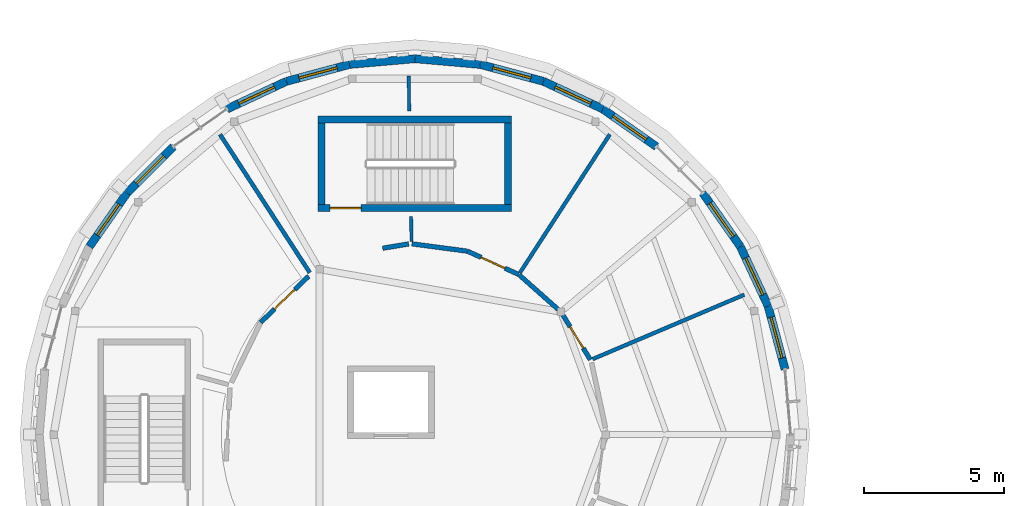
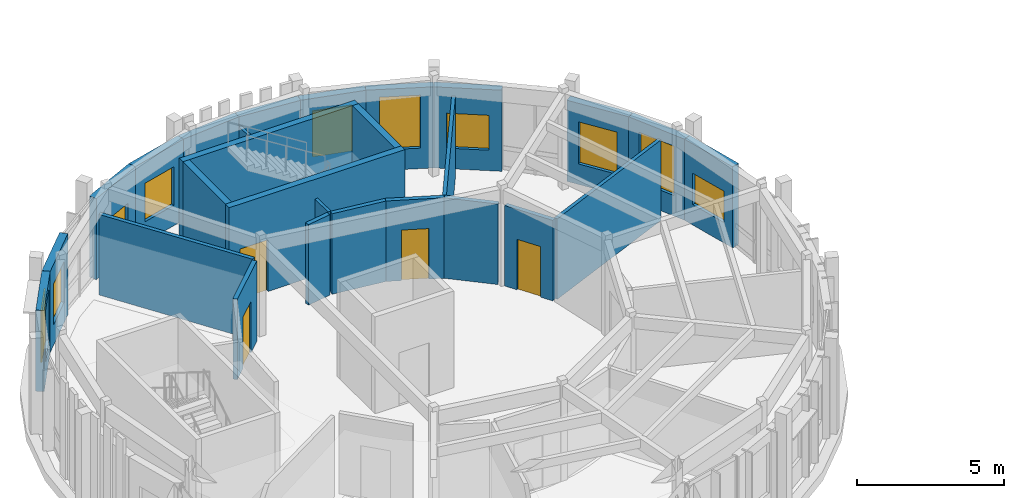
# One storey, part 20 of 30: 27 walls, 10 windows, 4 doors, 14 openings.
"""IFC4 building model written with IfcOpenShell, lengths in metres."""

import ifcopenshell
import ifcopenshell.guid

model = None  # the IFC model being written
_history = None  # IfcOwnerHistory: only IFC2X3 demands one
_inside = {}  # id of a spatial element -> (the spatial element, [elements in it])
_under = {}  # id of a project, library or spatial element -> (it, [spatial elements below it])
_declared = {}  # id of a project -> (the project, [libraries it declares])
_typed = {}  # id of a type object -> (the type object, [elements of that type])
_made_of = {}  # id of a material, layer set ... -> (it, [elements and type objects made of it])


def new_model(schema):
    """Start an empty IFC model of exactly this schema.

    Asked for "IFC4X3", IfcOpenShell would pick the latest addendum, in which some entities
    have other attributes; the version numbers below select the first issue.
    IFC2X3 requires an IfcOwnerHistory on every rooted entity: one is made here for all.
    """
    global model, _history
    if schema == "IFC4X3":
        model = ifcopenshell.file(schema_version=(4, 3, 0, 0))
    else:
        model = ifcopenshell.file(schema=schema)
    _inside.clear()
    _under.clear()
    _declared.clear()
    _typed.clear()
    _made_of.clear()
    _history = None
    if model.schema == "IFC2X3":
        org = make("IfcOrganization", Name="unknown")
        user = make(
            "IfcPersonAndOrganization",
            ThePerson=make("IfcPerson", FamilyName="unknown"),
            TheOrganization=org,
        )
        app = make(
            "IfcApplication",
            ApplicationDeveloper=org,
            Version="unknown",
            ApplicationFullName="unknown",
            ApplicationIdentifier="unknown",
        )
        _history = make(
            "IfcOwnerHistory",
            OwningUser=user,
            OwningApplication=app,
            ChangeAction="ADDED",
            CreationDate=0,
        )
    return model


def make(cls, **values):
    """One entity of the class cls with the attributes given. An attribute that is None is left unset."""
    return model.create_entity(
        cls, **{name: value for name, value in values.items() if value is not None}
    )


def rooted(cls, **values):
    """An entity with a GlobalId (a new one), such as an element, a storey or a relation."""
    return make(cls, GlobalId=ifcopenshell.guid.new(), OwnerHistory=_history, **values)


def si_unit(unit_type, name, prefix=None):
    """IfcSIUnit, for example si_unit("LENGTHUNIT", "METRE", prefix="MILLI")."""
    return make("IfcSIUnit", UnitType=unit_type, Prefix=prefix, Name=name)


def assignment(units):
    """IfcUnitAssignment: the units of a project."""
    return None if units is None else make("IfcUnitAssignment", Units=units)


def point(xyz):
    """IfcCartesianPoint."""
    return None if xyz is None else make("IfcCartesianPoint", Coordinates=xyz)


def direction(xyz):
    """IfcDirection."""
    return None if xyz is None else make("IfcDirection", DirectionRatios=xyz)


def frame(location, z_axis=None, x_axis=None):
    """IfcAxis2Placement3D, a coordinate frame: its origin and axes. An axis left out is left unset."""
    return make(
        "IfcAxis2Placement3D",
        Location=point(location),
        Axis=direction(z_axis),
        RefDirection=direction(x_axis),
    )


def frame_2d(location, x_axis=None):
    """IfcAxis2Placement2D, a coordinate frame in the plane: its origin and x axis."""
    return make(
        "IfcAxis2Placement2D", Location=point(location), RefDirection=direction(x_axis)
    )


def origin():
    """The frame at (0, 0, 0) with its axes left unset."""
    return frame((0.0, 0.0, 0.0))


def place(relative_to, where):
    """IfcLocalPlacement: puts the frame where relative to a parent placement (None: the world)."""
    return make(
        "IfcLocalPlacement", PlacementRelTo=relative_to, RelativePlacement=where
    )


def context(
    kind, dimensions, precision=None, world=None, true_north=None, identifier=None
):
    """IfcGeometricRepresentationContext, for example the 3D "Model" context."""
    return make(
        "IfcGeometricRepresentationContext",
        ContextIdentifier=identifier,
        ContextType=kind,
        CoordinateSpaceDimension=dimensions,
        Precision=precision,
        WorldCoordinateSystem=world,
        TrueNorth=true_north,
    )


def subcontext(parent, identifier, kind, view, scale=None):
    """IfcGeometricRepresentationSubContext, for example "Body" below "Model"."""
    return make(
        "IfcGeometricRepresentationSubContext",
        ContextIdentifier=identifier,
        ContextType=kind,
        ParentContext=parent,
        TargetScale=scale,
        TargetView=view,
    )


def project(units=None, contexts=None):
    """IfcProject with its units and contexts."""
    return rooted(
        "IfcProject",
        Name="project",
        RepresentationContexts=contexts,
        UnitsInContext=assignment(units),
    )


def spatial(cls, under=None, at=None, **own):
    """A site, building, storey or space (cls), placed at a placement, below another one or the project."""
    s = rooted(cls, ObjectPlacement=at, **own)
    if under is not None:
        _under.setdefault(under.id(), (under, []))[1].append(s)
    return s


def profile(cls, at=None, kind="AREA", **sizes):
    """A parametric profile (cls). Its sizes go by their IFC names, for example OverallWidth=200.0."""
    return make(cls, ProfileType=kind, Position=at, **sizes)


def rectangle(**sizes):
    """IfcRectangleProfileDef."""
    return profile("IfcRectangleProfileDef", **sizes)


def extrude(swept, where, along, depth):
    """IfcExtrudedAreaSolid: the profile swept, set in the frame where, extruded along a direction by depth."""
    return make(
        "IfcExtrudedAreaSolid",
        SweptArea=swept,
        Position=where,
        ExtrudedDirection=direction(along),
        Depth=depth,
    )


def shape(context_of_items, identifier, shape_type, items):
    """IfcShapeRepresentation: the items that make up one representation, for example the "Body"."""
    return make(
        "IfcShapeRepresentation",
        ContextOfItems=context_of_items,
        RepresentationIdentifier=identifier,
        RepresentationType=shape_type,
        Items=items,
    )


def material(Name=None, Category=None):
    """IfcMaterial."""
    return make("IfcMaterial", Name=Name, Category=Category)


def layer(
    of_material, thickness, ventilated=None, Name=None, Category=None, Priority=None
):
    """IfcMaterialLayer: one layer of a wall or slab, of a material (None: an air gap)."""
    return make(
        "IfcMaterialLayer",
        Material=of_material,
        LayerThickness=thickness,
        IsVentilated=ventilated,
        Name=Name,
        Category=Category,
        Priority=Priority,
    )


def layer_set(layers, Name=None):
    """IfcMaterialLayerSet."""
    return make("IfcMaterialLayerSet", MaterialLayers=layers, LayerSetName=Name)


def made_of(thing, what):
    """Note that an element or type object is made of a material, layer set ...; save() writes the relation."""
    if what is not None:
        _made_of.setdefault(what.id(), (what, []))[1].append(thing)
    return thing


def type_object(cls, material=None, **own):
    """A type object (cls), such as IfcWallType, which elements share."""
    return made_of(rooted(cls, **own), material)


def element(
    cls,
    number,
    at=None,
    inside=None,
    cuts=None,
    type_object=None,
    material=None,
    context=None,
    identifier="Body",
    shape_type=None,
    held_by="IfcProductDefinitionShape",
    body=None,
    shapes=None,
    **own,
):
    """One element of the class cls, such as IfcWall. Its Tag is "e" and its number.

    at: its placement. inside: the storey or other place that contains it. cuts: it is an
    opening in that element (IfcRelVoidsElement). A single representation is given by context,
    identifier, shape_type and body (its items); several are given by shapes. held_by: the class
    of the entity that holds the representations. save() writes the other relations.
    """
    e = rooted(cls, Tag="e%d" % number, ObjectPlacement=at, **own)
    if body is not None:
        shapes = [shape(context, identifier, shape_type, body)]
    if shapes is not None:
        e.Representation = make(held_by, Representations=shapes)
    if inside is not None:
        _inside.setdefault(inside.id(), (inside, []))[1].append(e)
    if cuts is not None:
        rooted(
            "IfcRelVoidsElement", RelatingBuildingElement=cuts, RelatedOpeningElement=e
        )
    if type_object is not None:
        _typed.setdefault(type_object.id(), (type_object, []))[1].append(e)
    return made_of(e, material)


def fill(opening, filler):
    """IfcRelFillsElement: the door or window that sits in an opening."""
    return rooted(
        "IfcRelFillsElement",
        RelatingOpeningElement=opening,
        RelatedBuildingElement=filler,
    )


def aggregate(whole, parts):
    """IfcRelAggregates: a whole, such as a stair, and the parts it consists of."""
    return rooted("IfcRelAggregates", RelatingObject=whole, RelatedObjects=parts)


def save(model, path):
    """Write the relations noted so far, then the file.

    IfcRelAggregates (storeys below a building ...), IfcRelContainedInSpatialStructure (elements
    in a storey), IfcRelDefinesByType, IfcRelAssociatesMaterial and IfcRelDeclares: one each for
    every whole, place, type object, material and project.
    """
    for whole, parts in _under.values():
        aggregate(whole, parts)
    for where, things in _inside.values():
        rooted(
            "IfcRelContainedInSpatialStructure",
            RelatedElements=things,
            RelatingStructure=where,
        )
    for kind, things in _typed.values():
        rooted("IfcRelDefinesByType", RelatedObjects=things, RelatingType=kind)
    for what, things in _made_of.values():
        rooted("IfcRelAssociatesMaterial", RelatedObjects=things, RelatingMaterial=what)
    for by, libraries in _declared.values():
        rooted("IfcRelDeclares", RelatingContext=by, RelatedDefinitions=libraries)
    model.write(path)


model = new_model("IFC4")

# Units and contexts
model_context = context("Model", 3, precision=1e-05, world=origin(), true_north=direction((0.0, 1.0)))
body_context = subcontext(model_context, "Body", "Model", "MODEL_VIEW")
ifc_project = project(units=[si_unit("LENGTHUNIT", "METRE"), si_unit("AREAUNIT", "SQUARE_METRE"), si_unit("VOLUMEUNIT", "CUBIC_METRE"), si_unit("PLANEANGLEUNIT", "RADIAN"), si_unit("MASSUNIT", "GRAM", prefix="KILO")], contexts=[model_context])

# Site, building, storey
site_placement = place(None, origin())
site = spatial("IfcSite", under=ifc_project, at=site_placement, CompositionType="ELEMENT")
building_placement = place(site_placement, origin())
building = spatial("IfcBuilding", under=site, at=building_placement, Name="Aldenvaro Health Centre", CompositionType="ELEMENT")
storey_placement = place(building_placement, frame((0.0, 0.0, 17.14990234375)))
storey = spatial("IfcBuildingStorey", under=building, at=storey_placement, Name="L04", CompositionType="ELEMENT", Elevation=17.14990234375)

# Wall
ifc_material_1 = material(Name="Gypsum Stud Acoustic Assembly")
ifc_layer_1 = layer(ifc_material_1, 0.14501953125, Name="Gypsum Stud Acoustic Assembly")
ifc_layer_set_1 = layer_set([ifc_layer_1], Name="Gypsum Stud Acoustic Assembly")
wall_type_1 = type_object("IfcWallType", Name="WL-CLN-145", PredefinedType="PARTITIONING", material=ifc_layer_set_1)
wall_1_placement = place(storey_placement, frame((14.7509765625, 105.27294921875, 0.0), z_axis=(0.0, 0.0, 1.0), x_axis=(-0.544677189284, 0.838645789039, 0.0)))
element("IfcWall", 1, at=wall_1_placement, inside=storey, type_object=wall_type_1, Name="D4 L04 clinical partition 1.1", PredefinedType="PARTITIONING", context=body_context, shape_type="SweptSolid", body=[
    extrude(rectangle(XDim=5.875, YDim=0.14501953125, at=frame_2d((2.9375, 0.0))), origin(), (0.0, 0.0, 1.0), 3.343994140625),
])

# Wall, opening, door
ifc_layer_2 = layer(ifc_material_1, 0.1650390625, Name="Gypsum Stud Acoustic Assembly")
ifc_layer_set_2 = layer_set([ifc_layer_2], Name="Gypsum Stud Acoustic Assembly")
wall_type_2 = type_object("IfcWallType", Name="WL-COR-165", PredefinedType="PARTITIONING", material=ifc_layer_set_2)
wall_2_placement = place(storey_placement, frame((14.7119140625, 105.14697265625, 0.0), z_axis=(0.0, 0.0, 1.0), x_axis=(-0.720225223762, -0.693740316731, 0.0)))
wall_2 = element("IfcWall", 2, at=wall_2_placement, inside=storey, type_object=wall_type_2, Name="D4 L04 corridor wall 01.1", PredefinedType="PARTITIONING", context=body_context, shape_type="SweptSolid", body=[
    extrude(rectangle(XDim=2.378173828125, YDim=0.1650390625, at=frame_2d((1.18896484375, 0.0))), origin(), (0.0, 0.0, 1.0), 3.343994140625),
])
opening_1_placement = place(wall_2_placement, frame((0.68994140625, 0.0, 0.0)))
opening_1 = element("IfcOpeningElement", 3, at=opening_1_placement, cuts=wall_2, Name="Opening D-03", PredefinedType="OPENING", context=body_context, shape_type="SweptSolid", body=[
    extrude(rectangle(XDim=1.0, YDim=2.139892578125, at=frame_2d((0.5, 1.06982421875))), frame((0.0, 0.092529296875, 0.0), z_axis=(0.0, -1.0, 0.0), x_axis=(1.0, 0.0, 0.0)), (0.0, 0.0, 1.0), 0.18505859375),
])
ifc_material_2 = material(Name="Solid Core Acoustic Timber Door", Category="wood")
door_type_1 = type_object("IfcDoorType", Name="DR-CLN-03", OperationType="NOTDEFINED", PredefinedType="DOOR", material=ifc_material_2)
door_1_placement = place(opening_1_placement, origin())
door_1 = element("IfcDoor", 4, at=door_1_placement, inside=storey, type_object=door_type_1, Name="Geriatrics Consulting Room 501 Door", OperationType="SINGLE_SWING_LEFT", OverallHeight=2.139892578125, OverallWidth=1.0, PredefinedType="DOOR", context=body_context, shape_type="SweptSolid", body=[
    extrude(rectangle(XDim=1.0, YDim=2.139892578125, at=frame_2d((0.5, 1.06982421875))), frame((0.0, 0.02490234375, 0.0), z_axis=(0.0, -1.0, 0.0), x_axis=(1.0, 0.0, 0.0)), (0.0, 0.0, 1.0), 0.050048828125),
])
fill(opening_1, door_1)

wall_3_placement = place(storey_placement, frame((24.756103515625, 102.166015625, 0.0), z_axis=(0.0, 0.0, 1.0), x_axis=(-0.523293079125, 0.852152775821, 0.0)))
wall_3 = element("IfcWall", 5, at=wall_3_placement, inside=storey, type_object=wall_type_2, Name="D4 L04 corridor wall 07.1", PredefinedType="PARTITIONING", context=body_context, shape_type="SweptSolid", body=[
    extrude(rectangle(XDim=1.86328125, YDim=0.1650390625, at=frame_2d((0.931640625, 0.0))), origin(), (0.0, 0.0, 1.0), 3.343994140625),
])
opening_2_placement = place(wall_3_placement, frame((0.48193359375, 0.0, 0.0)))
opening_2 = element("IfcOpeningElement", 6, at=opening_2_placement, cuts=wall_3, Name="Opening WD-01", PredefinedType="OPENING", context=body_context, shape_type="SweptSolid", body=[
    extrude(rectangle(XDim=0.89990234375, YDim=2.10009765625, at=frame_2d((0.449951171875, 1.050048828125))), frame((0.0, 0.092529296875, 0.0), z_axis=(0.0, -1.0, 0.0), x_axis=(1.0, 0.0, 0.0)), (0.0, 0.0, 1.0), 0.18505859375),
])
ifc_material_3 = material(Name="Moisture-Resistant Laminate Door")
door_type_2 = type_object("IfcDoorType", Name="DR-WC-01", OperationType="NOTDEFINED", PredefinedType="DOOR", material=ifc_material_3)
door_2_placement = place(opening_2_placement, origin())
door_2 = element("IfcDoor", 7, at=door_2_placement, inside=storey, type_object=door_type_2, Name="Male Patient WC Door", OperationType="SINGLE_SWING_LEFT", OverallHeight=2.10009765625, OverallWidth=0.89990234375, PredefinedType="DOOR", context=body_context, shape_type="SweptSolid", body=[
    extrude(rectangle(XDim=0.89990234375, YDim=2.10009765625, at=frame_2d((0.449951171875, 1.050048828125))), frame((0.0, 0.02490234375, 0.0), z_axis=(0.0, -1.0, 0.0), x_axis=(1.0, 0.0, 0.0)), (0.0, 0.0, 1.0), 0.050048828125),
])
fill(opening_2, door_2)

# Wall
wall_4_placement = place(storey_placement, frame((23.60595703125, 103.9619140625, 0.0), z_axis=(0.0, 0.0, 1.0), x_axis=(-0.748225706364, 0.66344426468, 0.0)))
element("IfcWall", 8, at=wall_4_placement, inside=storey, type_object=wall_type_2, Name="D4 L04 corridor wall 07.2", PredefinedType="PARTITIONING", context=body_context, shape_type="SweptSolid", body=[
    extrude(rectangle(XDim=1.863037109375, YDim=0.1650390625, at=frame_2d((0.931640625, 0.0))), origin(), (0.0, 0.0, 1.0), 3.343994140625),
])

# Wall, opening, door
wall_5_placement = place(storey_placement, frame((22.196044921875, 105.2080078125, 0.0), z_axis=(0.0, 0.0, 1.0), x_axis=(-0.910195152859, 0.414179651495, 0.0)))
wall_5 = element("IfcWall", 9, at=wall_5_placement, inside=storey, type_object=wall_type_2, Name="D4 L04 corridor wall 08.1", PredefinedType="PARTITIONING", context=body_context, shape_type="SweptSolid", body=[
    extrude(rectangle(XDim=2.001708984375, YDim=0.1650390625, at=frame_2d((1.0009765625, 0.0))), origin(), (0.0, 0.0, 1.0), 3.343994140625),
])
opening_3_placement = place(wall_5_placement, frame((0.530029296875, 0.0, 0.0)))
opening_3 = element("IfcOpeningElement", 10, at=opening_3_placement, cuts=wall_5, Name="Opening WD-02", PredefinedType="OPENING", context=body_context, shape_type="SweptSolid", body=[
    extrude(rectangle(XDim=0.93994140625, YDim=2.10009765625, at=frame_2d((0.469970703125, 1.050048828125))), frame((0.0, 0.092529296875, 0.0), z_axis=(0.0, -1.0, 0.0), x_axis=(1.0, 0.0, 0.0)), (0.0, 0.0, 1.0), 0.18505859375),
])
ifc_material_4 = material(Name="Accessible Sanitary Laminate Door")
door_type_3 = type_object("IfcDoorType", Name="DR-WC-02", OperationType="NOTDEFINED", PredefinedType="DOOR", material=ifc_material_4)
door_3_placement = place(opening_3_placement, origin())
door_3 = element("IfcDoor", 11, at=door_3_placement, inside=storey, type_object=door_type_3, Name="Female Patient WC Door", OperationType="SINGLE_SWING_RIGHT", OverallHeight=2.10009765625, OverallWidth=0.93994140625, PredefinedType="DOOR", context=body_context, shape_type="SweptSolid", body=[
    extrude(rectangle(XDim=0.93994140625, YDim=2.10009765625, at=frame_2d((0.469970703125, 1.050048828125))), frame((0.0, 0.02490234375, 0.0), z_axis=(0.0, -1.0, 0.0), x_axis=(1.0, 0.0, 0.0)), (0.0, 0.0, 1.0), 0.050048828125),
])
fill(opening_3, door_3)

# Walls
wall_6_placement = place(storey_placement, frame((20.3740234375, 106.037109375, 0.0), z_axis=(0.0, 0.0, 1.0), x_axis=(-0.991386025062, 0.13097232269, 0.0)))
element("IfcWall", 12, at=wall_6_placement, inside=storey, type_object=wall_type_2, Name="D4 L04 corridor wall 08.2", PredefinedType="PARTITIONING", context=body_context, shape_type="SweptSolid", body=[
    extrude(rectangle(XDim=2.000244140625, YDim=0.1650390625, at=frame_2d((1.0, 0.0))), origin(), (0.0, 0.0, 1.0), 3.343994140625),
])
wall_7_placement = place(storey_placement, frame((18.280029296875, 106.2958984375, 0.0), z_axis=(0.0, 0.0, 1.0), x_axis=(-0.986596185152, -0.163180781477, 0.0)))
element("IfcWall", 13, at=wall_7_placement, inside=storey, type_object=wall_type_2, Name="D4 L04 corridor wall 09.1", PredefinedType="PARTITIONING", context=body_context, shape_type="SweptSolid", body=[
    extrude(rectangle(XDim=0.942626953125, YDim=0.1650390625, at=frame_2d((0.47119140625, 0.0))), origin(), (0.0, 0.0, 1.0), 3.343994140625),
])

# Wall, opening, window
ifc_material_5 = material(Name="Cross-laminated timber CLT E1", Category="wood")
ifc_layer_3 = layer(ifc_material_5, 0.2900390625, Name="Cross-laminated timber CLT E1", Category="wood")
ifc_layer_set_3 = layer_set([ifc_layer_3], Name="Cross-laminated timber CLT E1")
wall_type_3 = type_object("IfcWallType", Name="WL-EXT-290", PredefinedType="ELEMENTEDWALL", material=ifc_layer_set_3)
wall_8_placement = place(storey_placement, frame((6.89501953125, 106.199951171875, 0.0), z_axis=(0.0, 0.0, 1.0), x_axis=(0.573728883722, 0.819045278347, 0.0)))
wall_8 = element("IfcWall", 14, at=wall_8_placement, inside=storey, type_object=wall_type_3, Name="D4 L04 exterior wall 22", PredefinedType="ELEMENTEDWALL", context=body_context, shape_type="SweptSolid", body=[
    extrude(rectangle(XDim=2.335693359375, YDim=0.2900390625, at=frame_2d((1.16796875, 0.0))), origin(), (0.0, 0.0, 1.0), 3.369140625),
])
opening_4_placement = place(wall_8_placement, frame((0.492919921875, 0.0, 0.85009765625)))
opening_4 = element("IfcOpeningElement", 15, at=opening_4_placement, cuts=wall_8, Name="Opening W-53", PredefinedType="OPENING", context=body_context, shape_type="SweptSolid", body=[
    extrude(rectangle(XDim=1.35009765625, YDim=2.14990234375, at=frame_2d((0.675048828125, 1.074951171875))), frame((0.0, 0.155029296875, 0.0), z_axis=(0.0, -1.0, 0.0), x_axis=(1.0, 0.0, 0.0)), (0.0, 0.0, 1.0), 0.31005859375),
])
ifc_material_6 = material(Name="Thermally Broken Aluminium Low-E Glass", Category="aluminium")
window_type_1 = type_object("IfcWindowType", Name="WN-EXT-53", PartitioningType="SINGLE_PANEL", PredefinedType="WINDOW", material=ifc_material_6)
window_1_placement = place(opening_4_placement, origin())
window_1 = element("IfcWindow", 16, at=window_1_placement, inside=storey, type_object=window_type_1, Name="D4 L04 clinical window 22", OverallHeight=2.14990234375, OverallWidth=1.35009765625, PartitioningType="SINGLE_PANEL", PredefinedType="WINDOW", context=body_context, shape_type="SweptSolid", body=[
    extrude(rectangle(XDim=1.35009765625, YDim=2.14990234375, at=frame_2d((0.675048828125, 1.074951171875))), frame((0.0, 0.030029296875, 0.0), z_axis=(0.0, -1.0, 0.0), x_axis=(1.0, 0.0, 0.0)), (0.0, 0.0, 1.0), 0.06005859375),
])
fill(opening_4, window_1)

wall_9_placement = place(storey_placement, frame((8.235107421875, 108.113037109375, 0.0), z_axis=(0.0, 0.0, 1.0), x_axis=(0.707106781187, 0.707106781187, 0.0)))
wall_9 = element("IfcWall", 17, at=wall_9_placement, inside=storey, type_object=wall_type_3, Name="D4 L04 exterior wall 23", PredefinedType="ELEMENTEDWALL", context=body_context, shape_type="SweptSolid", body=[
    extrude(rectangle(XDim=2.336181640625, YDim=0.2900390625, at=frame_2d((1.16796875, 0.0))), origin(), (0.0, 0.0, 1.0), 3.369140625),
])
opening_5_placement = place(wall_9_placement, frame((0.47802734375, 0.0, 0.85009765625)))
opening_5 = element("IfcOpeningElement", 18, at=opening_5_placement, cuts=wall_9, Name="Opening W-54", PredefinedType="OPENING", context=body_context, shape_type="SweptSolid", body=[
    extrude(rectangle(XDim=1.3798828125, YDim=1.699951171875, at=frame_2d((0.68994140625, 0.85009765625))), frame((0.0, 0.155029296875, 0.0), z_axis=(0.0, -1.0, 0.0), x_axis=(1.0, 0.0, 0.0)), (0.0, 0.0, 1.0), 0.31005859375),
])
window_type_2 = type_object("IfcWindowType", Name="WN-EXT-54", PartitioningType="SINGLE_PANEL", PredefinedType="WINDOW", material=ifc_material_6)
window_2_placement = place(opening_5_placement, origin())
window_2 = element("IfcWindow", 19, at=window_2_placement, inside=storey, type_object=window_type_2, Name="D4 L04 clinical window 23", OverallHeight=1.699951171875, OverallWidth=1.3798828125, PartitioningType="SINGLE_PANEL", PredefinedType="WINDOW", context=body_context, shape_type="SweptSolid", body=[
    extrude(rectangle(XDim=1.3798828125, YDim=1.699951171875, at=frame_2d((0.68994140625, 0.85009765625))), frame((0.0, 0.030029296875, 0.0), z_axis=(0.0, -1.0, 0.0), x_axis=(1.0, 0.0, 0.0)), (0.0, 0.0, 1.0), 0.06005859375),
])
fill(opening_5, window_2)

wall_10_placement = place(storey_placement, frame((11.800048828125, 111.10498046875, 0.0), z_axis=(0.0, 0.0, 1.0), x_axis=(0.906321946979, 0.422587894318, 0.0)))
wall_10 = element("IfcWall", 20, at=wall_10_placement, inside=storey, type_object=wall_type_3, Name="D4 L04 exterior wall 25", PredefinedType="ELEMENTEDWALL", context=body_context, shape_type="SweptSolid", body=[
    extrude(rectangle(XDim=2.335693359375, YDim=0.2900390625, at=frame_2d((1.16796875, 0.0))), origin(), (0.0, 0.0, 1.0), 3.369140625),
])
opening_6_placement = place(wall_10_placement, frame((0.468017578125, 0.0, 0.85009765625)))
opening_6 = element("IfcOpeningElement", 21, at=opening_6_placement, cuts=wall_10, Name="Opening W-55", PredefinedType="OPENING", context=body_context, shape_type="SweptSolid", body=[
    extrude(rectangle(XDim=1.39990234375, YDim=1.25, at=frame_2d((0.699951171875, 0.625))), frame((0.0, 0.155029296875, 0.0), z_axis=(0.0, -1.0, 0.0), x_axis=(1.0, 0.0, 0.0)), (0.0, 0.0, 1.0), 0.31005859375),
])
window_type_3 = type_object("IfcWindowType", Name="WN-EXT-55", PartitioningType="SINGLE_PANEL", PredefinedType="WINDOW", material=ifc_material_6)
window_3_placement = place(opening_6_placement, origin())
window_3 = element("IfcWindow", 22, at=window_3_placement, inside=storey, type_object=window_type_3, Name="D4 L04 clinical window 25", OverallHeight=1.25, OverallWidth=1.39990234375, PartitioningType="SINGLE_PANEL", PredefinedType="WINDOW", context=body_context, shape_type="SweptSolid", body=[
    extrude(rectangle(XDim=1.39990234375, YDim=1.25, at=frame_2d((0.699951171875, 0.625))), frame((0.0, 0.030029296875, 0.0), z_axis=(0.0, -1.0, 0.0), x_axis=(1.0, 0.0, 0.0)), (0.0, 0.0, 1.0), 0.06005859375),
])
fill(opening_6, window_3)

wall_11_placement = place(storey_placement, frame((13.9169921875, 112.092041015625, 0.0), z_axis=(0.0, 0.0, 1.0), x_axis=(0.965981166673, 0.258612423585, 0.0)))
wall_11 = element("IfcWall", 23, at=wall_11_placement, inside=storey, type_object=wall_type_3, Name="D4 L04 exterior wall 26", PredefinedType="ELEMENTEDWALL", context=body_context, shape_type="SweptSolid", body=[
    extrude(rectangle(XDim=2.33544921875, YDim=0.2900390625, at=frame_2d((1.167724609375, 0.0))), origin(), (0.0, 0.0, 1.0), 3.369140625),
])
opening_7_placement = place(wall_11_placement, frame((0.468017578125, 0.0, 0.85009765625)))
opening_7 = element("IfcOpeningElement", 24, at=opening_7_placement, cuts=wall_11, Name="Opening W-56", PredefinedType="OPENING", context=body_context, shape_type="SweptSolid", body=[
    extrude(rectangle(XDim=1.39990234375, YDim=1.60009765625, at=frame_2d((0.699951171875, 0.800048828125))), frame((0.0, 0.155029296875, 0.0), z_axis=(0.0, -1.0, 0.0), x_axis=(1.0, 0.0, 0.0)), (0.0, 0.0, 1.0), 0.31005859375),
])
window_type_4 = type_object("IfcWindowType", Name="WN-EXT-56", PartitioningType="SINGLE_PANEL", PredefinedType="WINDOW", material=ifc_material_6)
window_4_placement = place(opening_7_placement, origin())
window_4 = element("IfcWindow", 25, at=window_4_placement, inside=storey, type_object=window_type_4, Name="D4 L04 clinical window 26", OverallHeight=1.60009765625, OverallWidth=1.39990234375, PartitioningType="SINGLE_PANEL", PredefinedType="WINDOW", context=body_context, shape_type="SweptSolid", body=[
    extrude(rectangle(XDim=1.39990234375, YDim=1.60009765625, at=frame_2d((0.699951171875, 0.800048828125))), frame((0.0, 0.030029296875, 0.0), z_axis=(0.0, -1.0, 0.0), x_axis=(1.0, 0.0, 0.0)), (0.0, 0.0, 1.0), 0.06005859375),
])
fill(opening_7, window_4)

# Walls
for number, where, z_axis, x_axis, name in (
    (26, (16.173095703125, 112.696044921875, 0.0), (0.0, 0.0, 1.0), (0.996184295282, 0.087274565792, 0.0), "D4 L04 exterior wall 27"),
    (27, (18.5, 112.89990234375, 0.0), (0.0, 0.0, 1.0), (0.996184295282, -0.087274565792, 0.0), "D4 L04 exterior wall 28"),
):
    element("IfcWall", number, at=place(storey_placement, frame(where, z_axis=z_axis, x_axis=x_axis)), inside=storey, type_object=wall_type_3, Name=name, PredefinedType="ELEMENTEDWALL", context=body_context, shape_type="SweptSolid", body=[
        extrude(rectangle(XDim=2.3359375, YDim=0.2900390625, at=frame_2d((1.16796875, 0.0))), origin(), (0.0, 0.0, 1.0), 3.369140625),
    ])

# Wall, opening, window
wall_12_placement = place(storey_placement, frame((20.826904296875, 112.696044921875, 0.0), z_axis=(0.0, 0.0, 1.0), x_axis=(0.965981166673, -0.258612423585, 0.0)))
wall_12 = element("IfcWall", 28, at=wall_12_placement, inside=storey, type_object=wall_type_3, Name="D4 L04 exterior wall 29", PredefinedType="ELEMENTEDWALL", context=body_context, shape_type="SweptSolid", body=[
    extrude(rectangle(XDim=2.33544921875, YDim=0.2900390625, at=frame_2d((1.167724609375, 0.0))), origin(), (0.0, 0.0, 1.0), 3.369140625),
])
opening_8_placement = place(wall_12_placement, frame((0.468017578125, 0.0, 0.85009765625)))
opening_8 = element("IfcOpeningElement", 29, at=opening_8_placement, cuts=wall_12, Name="Opening W-57", PredefinedType="OPENING", context=body_context, shape_type="SweptSolid", body=[
    extrude(rectangle(XDim=1.39990234375, YDim=1.89990234375, at=frame_2d((0.699951171875, 0.949951171875))), frame((0.0, 0.155029296875, 0.0), z_axis=(0.0, -1.0, 0.0), x_axis=(1.0, 0.0, 0.0)), (0.0, 0.0, 1.0), 0.31005859375),
])
window_type_5 = type_object("IfcWindowType", Name="WN-EXT-57", PartitioningType="SINGLE_PANEL", PredefinedType="WINDOW", material=ifc_material_6)
window_5_placement = place(opening_8_placement, origin())
window_5 = element("IfcWindow", 30, at=window_5_placement, inside=storey, type_object=window_type_5, Name="D4 L04 clinical window 29", OverallHeight=1.89990234375, OverallWidth=1.39990234375, PartitioningType="SINGLE_PANEL", PredefinedType="WINDOW", context=body_context, shape_type="SweptSolid", body=[
    extrude(rectangle(XDim=1.39990234375, YDim=1.89990234375, at=frame_2d((0.699951171875, 0.949951171875))), frame((0.0, 0.030029296875, 0.0), z_axis=(0.0, -1.0, 0.0), x_axis=(1.0, 0.0, 0.0)), (0.0, 0.0, 1.0), 0.06005859375),
])
fill(opening_8, window_5)

wall_13_placement = place(storey_placement, frame((23.0830078125, 112.092041015625, 0.0), z_axis=(0.0, 0.0, 1.0), x_axis=(0.906321946979, -0.422587894318, 0.0)))
wall_13 = element("IfcWall", 31, at=wall_13_placement, inside=storey, type_object=wall_type_3, Name="D4 L04 exterior wall 30", PredefinedType="ELEMENTEDWALL", context=body_context, shape_type="SweptSolid", body=[
    extrude(rectangle(XDim=2.335693359375, YDim=0.2900390625, at=frame_2d((1.16796875, 0.0))), origin(), (0.0, 0.0, 1.0), 3.369140625),
])
opening_9_placement = place(wall_13_placement, frame((0.468017578125, 0.0, 0.85009765625)))
opening_9 = element("IfcOpeningElement", 32, at=opening_9_placement, cuts=wall_13, Name="Opening W-58", PredefinedType="OPENING", context=body_context, shape_type="SweptSolid", body=[
    extrude(rectangle(XDim=1.39990234375, YDim=2.199951171875, at=frame_2d((0.699951171875, 1.10009765625))), frame((0.0, 0.155029296875, 0.0), z_axis=(0.0, -1.0, 0.0), x_axis=(1.0, 0.0, 0.0)), (0.0, 0.0, 1.0), 0.31005859375),
])
window_type_6 = type_object("IfcWindowType", Name="WN-EXT-58", PartitioningType="SINGLE_PANEL", PredefinedType="WINDOW", material=ifc_material_6)
window_6_placement = place(opening_9_placement, origin())
window_6 = element("IfcWindow", 33, at=window_6_placement, inside=storey, type_object=window_type_6, Name="D4 L04 clinical window 30", OverallHeight=2.199951171875, OverallWidth=1.39990234375, PartitioningType="SINGLE_PANEL", PredefinedType="WINDOW", context=body_context, shape_type="SweptSolid", body=[
    extrude(rectangle(XDim=1.39990234375, YDim=2.199951171875, at=frame_2d((0.699951171875, 1.10009765625))), frame((0.0, 0.030029296875, 0.0), z_axis=(0.0, -1.0, 0.0), x_axis=(1.0, 0.0, 0.0)), (0.0, 0.0, 1.0), 0.06005859375),
])
fill(opening_9, window_6)

wall_14_placement = place(storey_placement, frame((25.199951171875, 111.10498046875, 0.0), z_axis=(0.0, 0.0, 1.0), x_axis=(0.819045278347, -0.573728883722, 0.0)))
wall_14 = element("IfcWall", 34, at=wall_14_placement, inside=storey, type_object=wall_type_3, Name="D4 L04 exterior wall 31", PredefinedType="ELEMENTEDWALL", context=body_context, shape_type="SweptSolid", body=[
    extrude(rectangle(XDim=2.335693359375, YDim=0.2900390625, at=frame_2d((1.16796875, 0.0))), origin(), (0.0, 0.0, 1.0), 3.369140625),
])
opening_10_placement = place(wall_14_placement, frame((0.443115234375, 0.0, 0.85009765625)))
opening_10 = element("IfcOpeningElement", 35, at=opening_10_placement, cuts=wall_14, Name="Opening W-59", PredefinedType="OPENING", context=body_context, shape_type="SweptSolid", body=[
    extrude(rectangle(XDim=1.449951171875, YDim=1.449951171875, at=frame_2d((0.72509765625, 0.72509765625))), frame((0.0, 0.155029296875, 0.0), z_axis=(0.0, -1.0, 0.0), x_axis=(1.0, 0.0, 0.0)), (0.0, 0.0, 1.0), 0.31005859375),
])
window_type_7 = type_object("IfcWindowType", Name="WN-EXT-59", PartitioningType="SINGLE_PANEL", PredefinedType="WINDOW", material=ifc_material_6)
window_7_placement = place(opening_10_placement, origin())
window_7 = element("IfcWindow", 36, at=window_7_placement, inside=storey, type_object=window_type_7, Name="D4 L04 clinical window 31", OverallHeight=1.449951171875, OverallWidth=1.449951171875, PartitioningType="SINGLE_PANEL", PredefinedType="WINDOW", context=body_context, shape_type="SweptSolid", body=[
    extrude(rectangle(XDim=1.449951171875, YDim=1.449951171875, at=frame_2d((0.72509765625, 0.72509765625))), frame((0.0, 0.030029296875, 0.0), z_axis=(0.0, -1.0, 0.0), x_axis=(1.0, 0.0, 0.0)), (0.0, 0.0, 1.0), 0.06005859375),
])
fill(opening_10, window_7)

wall_15_placement = place(storey_placement, frame((28.764892578125, 108.113037109375, 0.0), z_axis=(0.0, 0.0, 1.0), x_axis=(0.573728883722, -0.819045278347, 0.0)))
wall_15 = element("IfcWall", 37, at=wall_15_placement, inside=storey, type_object=wall_type_3, Name="D4 L04 exterior wall 33", PredefinedType="ELEMENTEDWALL", context=body_context, shape_type="SweptSolid", body=[
    extrude(rectangle(XDim=2.335693359375, YDim=0.2900390625, at=frame_2d((1.16796875, 0.0))), origin(), (0.0, 0.0, 1.0), 3.369140625),
])
opening_11_placement = place(wall_15_placement, frame((0.443115234375, 0.0, 0.85009765625)))
opening_11 = element("IfcOpeningElement", 38, at=opening_11_placement, cuts=wall_15, Name="Opening W-60", PredefinedType="OPENING", context=body_context, shape_type="SweptSolid", body=[
    extrude(rectangle(XDim=1.449951171875, YDim=1.75, at=frame_2d((0.72509765625, 0.875))), frame((0.0, 0.155029296875, 0.0), z_axis=(0.0, -1.0, 0.0), x_axis=(1.0, 0.0, 0.0)), (0.0, 0.0, 1.0), 0.31005859375),
])
window_type_8 = type_object("IfcWindowType", Name="WN-EXT-60", PartitioningType="SINGLE_PANEL", PredefinedType="WINDOW", material=ifc_material_6)
window_8_placement = place(opening_11_placement, origin())
window_8 = element("IfcWindow", 39, at=window_8_placement, inside=storey, type_object=window_type_8, Name="D4 L04 clinical window 33", OverallHeight=1.75, OverallWidth=1.449951171875, PartitioningType="SINGLE_PANEL", PredefinedType="WINDOW", context=body_context, shape_type="SweptSolid", body=[
    extrude(rectangle(XDim=1.449951171875, YDim=1.75, at=frame_2d((0.72509765625, 0.875))), frame((0.0, 0.030029296875, 0.0), z_axis=(0.0, -1.0, 0.0), x_axis=(1.0, 0.0, 0.0)), (0.0, 0.0, 1.0), 0.06005859375),
])
fill(opening_11, window_8)

wall_16_placement = place(storey_placement, frame((30.10498046875, 106.199951171875, 0.0), z_axis=(0.0, 0.0, 1.0), x_axis=(0.422587894318, -0.906321946979, 0.0)))
wall_16 = element("IfcWall", 40, at=wall_16_placement, inside=storey, type_object=wall_type_3, Name="D4 L04 exterior wall 34", PredefinedType="ELEMENTEDWALL", context=body_context, shape_type="SweptSolid", body=[
    extrude(rectangle(XDim=2.335693359375, YDim=0.2900390625, at=frame_2d((1.16796875, 0.0))), origin(), (0.0, 0.0, 1.0), 3.369140625),
])
opening_12_placement = place(wall_16_placement, frame((0.443115234375, 0.0, 0.85009765625)))
opening_12 = element("IfcOpeningElement", 41, at=opening_12_placement, cuts=wall_16, Name="Opening W-61", PredefinedType="OPENING", context=body_context, shape_type="SweptSolid", body=[
    extrude(rectangle(XDim=1.449951171875, YDim=2.050048828125, at=frame_2d((0.72509765625, 1.02490234375))), frame((0.0, 0.155029296875, 0.0), z_axis=(0.0, -1.0, 0.0), x_axis=(1.0, 0.0, 0.0)), (0.0, 0.0, 1.0), 0.31005859375),
])
window_type_9 = type_object("IfcWindowType", Name="WN-EXT-61", PartitioningType="SINGLE_PANEL", PredefinedType="WINDOW", material=ifc_material_6)
window_9_placement = place(opening_12_placement, origin())
window_9 = element("IfcWindow", 42, at=window_9_placement, inside=storey, type_object=window_type_9, Name="D4 L04 clinical window 34", OverallHeight=2.050048828125, OverallWidth=1.449951171875, PartitioningType="SINGLE_PANEL", PredefinedType="WINDOW", context=body_context, shape_type="SweptSolid", body=[
    extrude(rectangle(XDim=1.449951171875, YDim=2.050048828125, at=frame_2d((0.72509765625, 1.02490234375))), frame((0.0, 0.030029296875, 0.0), z_axis=(0.0, -1.0, 0.0), x_axis=(1.0, 0.0, 0.0)), (0.0, 0.0, 1.0), 0.06005859375),
])
fill(opening_12, window_9)

wall_17_placement = place(storey_placement, frame((31.092041015625, 104.0830078125, 0.0), z_axis=(0.0, 0.0, 1.0), x_axis=(0.258612423585, -0.965981166673, 0.0)))
wall_17 = element("IfcWall", 43, at=wall_17_placement, inside=storey, type_object=wall_type_3, Name="D4 L04 exterior wall 35", PredefinedType="ELEMENTEDWALL", context=body_context, shape_type="SweptSolid", body=[
    extrude(rectangle(XDim=2.33544921875, YDim=0.2900390625, at=frame_2d((1.167724609375, 0.0))), origin(), (0.0, 0.0, 1.0), 3.369140625),
])
opening_13_placement = place(wall_17_placement, frame((0.41796875, 0.0, 0.85009765625)))
opening_13 = element("IfcOpeningElement", 44, at=opening_13_placement, cuts=wall_17, Name="Opening W-62", PredefinedType="OPENING", context=body_context, shape_type="SweptSolid", body=[
    extrude(rectangle(XDim=1.5, YDim=1.300048828125, at=frame_2d((0.75, 0.64990234375))), frame((0.0, 0.155029296875, 0.0), z_axis=(0.0, -1.0, 0.0), x_axis=(1.0, 0.0, 0.0)), (0.0, 0.0, 1.0), 0.31005859375),
])
window_type_10 = type_object("IfcWindowType", Name="WN-EXT-62", PartitioningType="SINGLE_PANEL", PredefinedType="WINDOW", material=ifc_material_6)
window_10_placement = place(opening_13_placement, origin())
window_10 = element("IfcWindow", 45, at=window_10_placement, inside=storey, type_object=window_type_10, Name="D4 L04 clinical window 35", OverallHeight=1.300048828125, OverallWidth=1.5, PartitioningType="SINGLE_PANEL", PredefinedType="WINDOW", context=body_context, shape_type="SweptSolid", body=[
    extrude(rectangle(XDim=1.5, YDim=1.300048828125, at=frame_2d((0.75, 0.64990234375))), frame((0.0, 0.030029296875, 0.0), z_axis=(0.0, -1.0, 0.0), x_axis=(1.0, 0.0, 0.0)), (0.0, 0.0, 1.0), 0.06005859375),
])
fill(opening_13, window_10)

# Wall, opening, door
ifc_material_7 = material(Name="Concrete f'c 40 MPa", Category="concrete")
ifc_layer_4 = layer(ifc_material_7, 0.25, Name="Concrete f'c 40 MPa", Category="concrete")
ifc_layer_set_4 = layer_set([ifc_layer_4], Name="Concrete f'c 40 MPa")
wall_type_4 = type_object("IfcWallType", Name="WL-SHAFT-250", PredefinedType="SHEAR", material=ifc_layer_set_4)
wall_18_placement = place(storey_placement, frame((15.050048828125, 107.574951171875, 0.0), z_axis=(0.0, 0.0, 1.0), x_axis=(1.0, 0.0, 0.0)))
wall_18 = element("IfcWall", 46, at=wall_18_placement, inside=storey, type_object=wall_type_4, Name="ST-07 L04 inner core wall", PredefinedType="SHEAR", context=body_context, shape_type="SweptSolid", body=[
    extrude(rectangle(XDim=6.89990234375, YDim=0.25, at=frame_2d((3.449951171875, 0.0))), origin(), (0.0, 0.0, 1.0), 4.01513671875),
])
opening_14_placement = place(wall_18_placement, frame((0.429931640625, 0.0, 0.0)))
opening_14 = element("IfcOpeningElement", 47, at=opening_14_placement, cuts=wall_18, Name="Opening FD-01", PredefinedType="OPENING", context=body_context, shape_type="SweptSolid", body=[
    extrude(rectangle(XDim=1.10009765625, YDim=2.14990234375, at=frame_2d((0.550048828125, 1.074951171875))), frame((0.0, 0.135009765625, 0.0), z_axis=(0.0, -1.0, 0.0), x_axis=(1.0, 0.0, 0.0)), (0.0, 0.0, 1.0), 0.27001953125),
])
ifc_material_8 = material(Name="Fire-Rated Steel Door Assembly", Category="steel")
door_type_4 = type_object("IfcDoorType", Name="DR-STAIR-110", OperationType="NOTDEFINED", PredefinedType="DOOR", material=ifc_material_8)
door_4_placement = place(opening_14_placement, origin())
door_4 = element("IfcDoor", 48, at=door_4_placement, inside=storey, type_object=door_type_4, Name="ST-07 L04 fire stair door", OperationType="SINGLE_SWING_RIGHT", OverallHeight=2.14990234375, OverallWidth=1.10009765625, PredefinedType="DOOR", context=body_context, shape_type="SweptSolid", body=[
    extrude(rectangle(XDim=1.10009765625, YDim=2.14990234375, at=frame_2d((0.550048828125, 1.074951171875))), frame((0.0, 0.02490234375, 0.0), z_axis=(0.0, -1.0, 0.0), x_axis=(1.0, 0.0, 0.0)), (0.0, 0.0, 1.0), 0.050048828125),
])
fill(opening_14, door_4)

# Walls
wall_19_placement = place(storey_placement, frame((15.050048828125, 110.72509765625, 0.0), z_axis=(0.0, 0.0, 1.0), x_axis=(1.0, 0.0, 0.0)))
element("IfcWall", 49, at=wall_19_placement, inside=storey, type_object=wall_type_4, Name="ST-07 L04 far core wall", PredefinedType="SHEAR", context=body_context, shape_type="SweptSolid", body=[
    extrude(rectangle(XDim=6.89990234375, YDim=0.25, at=frame_2d((3.449951171875, 0.0))), origin(), (0.0, 0.0, 1.0), 4.01513671875),
])
for number, where, z_axis, x_axis, name in (
    (50, (15.175048828125, 107.699951171875, 0.0), (0.0, 0.0, 1.0), (0.0, 1.0, 0.0), "ST-07 L04 side core wall L"),
    (51, (21.824951171875, 107.699951171875, 0.0), (0.0, 0.0, 1.0), (0.0, 1.0, 0.0), "ST-07 L04 side core wall R"),
):
    element("IfcWall", number, at=place(storey_placement, frame(where, z_axis=z_axis, x_axis=x_axis)), inside=storey, type_object=wall_type_4, Name=name, PredefinedType="SHEAR", context=body_context, shape_type="SweptSolid", body=[
        extrude(rectangle(XDim=2.900146484375, YDim=0.25, at=frame_2d((1.4501953125, 0.0))), origin(), (0.0, 0.0, 1.0), 4.01513671875),
    ])
ifc_material_9 = material(Name="Light Gauge Steel Stud Partition", Category="steel")
ifc_layer_5 = layer(ifc_material_9, 0.114990234375, Name="Light Gauge Steel Stud Partition", Category="steel")
ifc_layer_set_5 = layer_set([ifc_layer_5], Name="Light Gauge Steel Stud Partition")
wall_type_5 = type_object("IfcWallType", Name="WL-SUB-115", PredefinedType="PARTITIONING", material=ifc_layer_set_5)
wall_20_placement = place(storey_placement, frame((18.3798828125, 106.382080078125, 0.0), z_axis=(0.0, 0.0, 1.0), x_axis=(-0.017869018934, 0.999840336335, 0.0)))
element("IfcWall", 52, at=wall_20_placement, inside=storey, type_object=wall_type_5, Name="D4 L04 clinical partition 9.1", PredefinedType="PARTITIONING", context=body_context, shape_type="SweptSolid", body=[
    extrude(rectangle(XDim=0.88818359375, YDim=0.114990234375, at=frame_2d((0.444091796875, 0.0))), origin(), (0.0, 0.0, 1.0), 3.343994140625),
])
wall_21_placement = place(storey_placement, frame((18.299072265625, 111.030029296875, 0.0), z_axis=(0.0, 0.0, 1.0), x_axis=(-0.017589147167, 0.999845298985, 0.0)))
element("IfcWall", 53, at=wall_21_placement, inside=storey, type_object=wall_type_5, Name="D4 L04 clinical partition 9.2", PredefinedType="PARTITIONING", context=body_context, shape_type="SweptSolid", body=[
    extrude(rectangle(XDim=1.249267578125, YDim=0.114990234375, at=frame_2d((0.62451171875, 0.0))), origin(), (0.0, 0.0, 1.0), 3.343994140625),
])
ifc_material_10 = material(Name="Moisture-Resistant Plumbing Stud Wall")
ifc_layer_6 = layer(ifc_material_10, 0.135009765625, Name="Moisture-Resistant Plumbing Stud Wall")
ifc_layer_set_6 = layer_set([ifc_layer_6], Name="Moisture-Resistant Plumbing Stud Wall")
wall_type_6 = type_object("IfcWallType", Name="WL-WET-135", PredefinedType="PLUMBINGWALL", material=ifc_layer_set_6)
wall_22_placement = place(storey_placement, frame((24.8359375, 102.18896484375, 0.0), z_axis=(0.0, 0.0, 1.0), x_axis=(0.920468107404, 0.390817685438, 0.0)))
element("IfcWall", 54, at=wall_22_placement, inside=storey, type_object=wall_type_6, Name="D4 L04 clinical partition 7.1", PredefinedType="PLUMBINGWALL", context=body_context, shape_type="SweptSolid", body=[
    extrude(rectangle(XDim=5.875244140625, YDim=0.135009765625, at=frame_2d((2.9375, 0.0))), origin(), (0.0, 0.0, 1.0), 3.343994140625),
])
wall_23_placement = place(storey_placement, frame((22.2490234375, 105.27294921875, 0.0), z_axis=(0.0, 0.0, 1.0), x_axis=(0.544677189284, 0.838645789039, 0.0)))
element("IfcWall", 55, at=wall_23_placement, inside=storey, type_object=wall_type_6, Name="D4 L04 clinical partition 8.1", PredefinedType="PLUMBINGWALL", context=body_context, shape_type="SweptSolid", body=[
    extrude(rectangle(XDim=5.875, YDim=0.135009765625, at=frame_2d((2.9375, 0.0))), origin(), (0.0, 0.0, 1.0), 3.343994140625),
])

save(model, "model.ifc")
